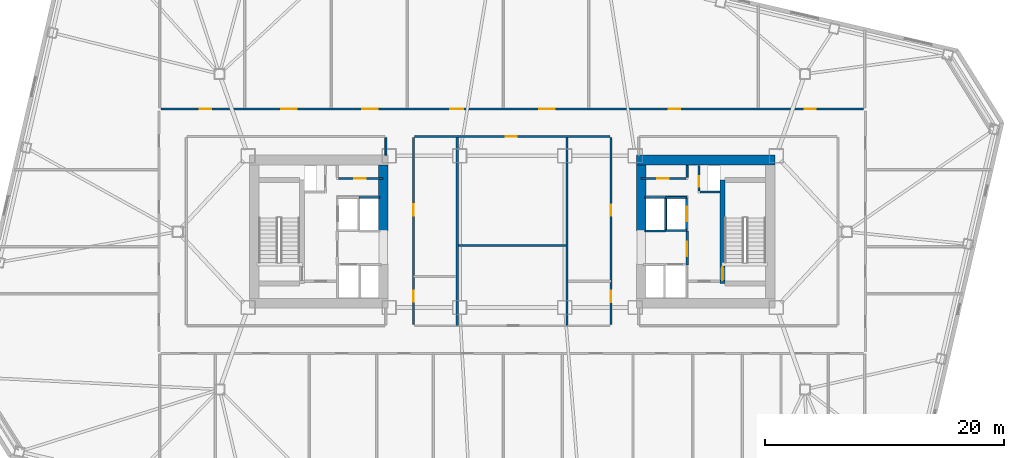
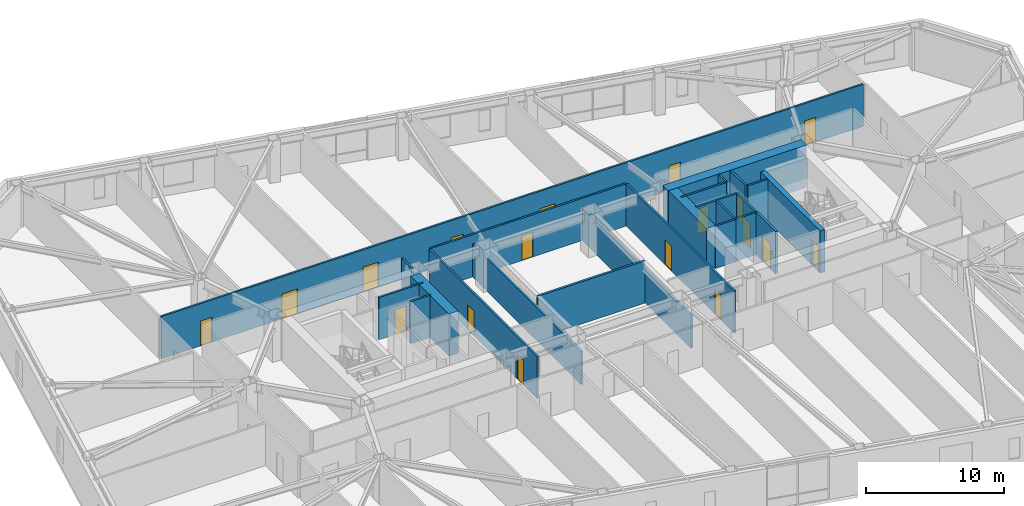
# One storey, part 12 of 19: 25 walls, 18 doors, 18 openings.
"""IFC4 building model written with IfcOpenShell, lengths in metres."""

from ifc_helpers import new_model, si_unit, direction, frame, frame_2d, origin, place, context, subcontext, project, spatial, rectangle, extrude, material, layer, layer_set, type_object, element, fill, save


model = new_model("IFC4")

# Units and contexts
model_context = context("Model", 3, precision=1e-05, world=origin(), true_north=direction((0.0, 1.0)))
body_context = subcontext(model_context, "Body", "Model", "MODEL_VIEW")
ifc_project = project(units=[si_unit("LENGTHUNIT", "METRE"), si_unit("AREAUNIT", "SQUARE_METRE"), si_unit("VOLUMEUNIT", "CUBIC_METRE"), si_unit("PLANEANGLEUNIT", "RADIAN"), si_unit("MASSUNIT", "GRAM", prefix="KILO")], contexts=[model_context])

# Site, building, storey
site_placement = place(None, origin())
site = spatial("IfcSite", under=ifc_project, at=site_placement, CompositionType="ELEMENT")
building_placement = place(site_placement, origin())
building = spatial("IfcBuilding", under=site, at=building_placement, Name="Tavrogorsk Clinical Tower", CompositionType="ELEMENT")
storey_placement = place(building_placement, frame((0.0, 0.0, 75.39990234375)))
storey = spatial("IfcBuildingStorey", under=building, at=storey_placement, Name="L16", CompositionType="ELEMENT", Elevation=75.39990234375)

# Wall, opening, door
ifc_material_1 = material(Name="Concrete B60", Category="concrete")
ifc_layer_1 = layer(ifc_material_1, 0.199951171875)
ifc_layer_set_1 = layer_set([ifc_layer_1], Name="Concrete B60")
wall_type_1 = type_object("IfcWallType", Name="CoreFireWall_200", PredefinedType="SOLIDWALL", material=ifc_layer_set_1)
wall_1_placement = place(storey_placement, frame((14.639892578125, -2.780029296875, 0.0), z_axis=(0.0, 0.0, 1.0), x_axis=(0.0, 1.0, 0.0)))
wall_1 = element("IfcWall", 1, at=wall_1_placement, inside=storey, type_object=wall_type_1, Name="L16 Core East Firefighting Lobby Fire Wall", PredefinedType="SOLIDWALL", context=body_context, shape_type="SweptSolid", body=[
    extrude(rectangle(XDim=2.820068359375, YDim=0.199951171875, at=frame_2d((1.41015625, 0.0))), origin(), (0.0, 0.0, 1.0), 3.739990234375),
])
opening_1_placement = place(wall_1_placement, frame((0.72998046875, 0.0, 0.0)))
opening_1 = element("IfcOpeningElement", 2, at=opening_1_placement, cuts=wall_1, Name="Opening FD-01", PredefinedType="OPENING", context=body_context, shape_type="SweptSolid", body=[
    extrude(rectangle(XDim=1.199951171875, YDim=2.199951171875, at=frame_2d((0.60009765625, 1.10009765625))), frame((0.0, 0.10986328125, 0.0), z_axis=(0.0, -1.0, 0.0), x_axis=(1.0, 0.0, 0.0)), (0.0, 0.0, 1.0), 0.219970703125),
])
ifc_material_2 = material(Name="Galvanised steel fire-rated door assembly", Category="steel")
door_type_1 = type_object("IfcDoorType", Name="FireDoor_FD01_1200", OperationType="NOTDEFINED", PredefinedType="DOOR", material=ifc_material_2)
door_1_placement = place(opening_1_placement, origin())
door_1 = element("IfcDoor", 3, at=door_1_placement, inside=storey, type_object=door_type_1, Name="L16 Core East Firefighting Lobby Entry Door", OperationType="SINGLE_SWING_RIGHT", OverallHeight=2.199951171875, OverallWidth=1.199951171875, PredefinedType="DOOR", context=body_context, shape_type="SweptSolid", body=[
    extrude(rectangle(XDim=1.199951171875, YDim=2.199951171875, at=frame_2d((0.60009765625, 1.10009765625))), frame((0.0, 0.02490234375, 0.0), z_axis=(0.0, -1.0, 0.0), x_axis=(1.0, 0.0, 0.0)), (0.0, 0.0, 1.0), 0.050048828125),
])
fill(opening_1, door_1)

ifc_material_3 = material(Name="Lightweight concrete blockwork B15", Category="masonry")
ifc_layer_2 = layer(ifc_material_3, 0.159912109375)
ifc_layer_set_2 = layer_set([ifc_layer_2], Name="Lightweight concrete blockwork B15")
wall_type_2 = type_object("IfcWallType", Name="PartitionWall_160", PredefinedType="PARTITIONING", material=ifc_layer_set_2)
wall_2_placement = place(storey_placement, frame((-14.554931640625, 4.4599609375, 0.0), z_axis=(0.0, 0.0, 1.0), x_axis=(1.0, 0.0, 0.0)))
wall_2 = element("IfcWall", 4, at=wall_2_placement, inside=storey, type_object=wall_type_2, Name="L16 Core West Pneumatic Dispatch South Wall", PredefinedType="PARTITIONING", context=body_context, shape_type="SweptSolid", body=[
    extrude(rectangle(XDim=3.7548828125, YDim=0.159912109375, at=frame_2d((1.87744140625, 0.0))), origin(), (0.0, 0.0, 1.0), 3.739990234375),
])
opening_2_placement = place(wall_2_placement, frame((1.35009765625, 0.0, 0.0)))
opening_2 = element("IfcOpeningElement", 5, at=opening_2_placement, cuts=wall_2, Name="Opening ID-02", PredefinedType="OPENING", context=body_context, shape_type="SweptSolid", body=[
    extrude(rectangle(XDim=0.949951171875, YDim=2.199951171875, at=frame_2d((0.47509765625, 1.10009765625))), frame((0.0, 0.08984375, 0.0), z_axis=(0.0, -1.0, 0.0), x_axis=(1.0, 0.0, 0.0)), (0.0, 0.0, 1.0), 0.179931640625),
])
ifc_material_4 = material(Name="Laminated timber leaf on aluminium frame", Category="wood")
door_type_2 = type_object("IfcDoorType", Name="InteriorDoor_ID02_950", OperationType="NOTDEFINED", PredefinedType="DOOR", material=ifc_material_4)
door_2_placement = place(opening_2_placement, origin())
door_2 = element("IfcDoor", 6, at=door_2_placement, inside=storey, type_object=door_type_2, Name="L16 Core West Pneumatic Dispatch Door", OperationType="SINGLE_SWING_LEFT", OverallHeight=2.199951171875, OverallWidth=0.949951171875, PredefinedType="DOOR", context=body_context, shape_type="SweptSolid", body=[
    extrude(rectangle(XDim=0.949951171875, YDim=2.199951171875, at=frame_2d((0.47509765625, 1.10009765625))), frame((0.0, 0.02490234375, 0.0), z_axis=(0.0, -1.0, 0.0), x_axis=(1.0, 0.0, 0.0)), (0.0, 0.0, 1.0), 0.050048828125),
])
fill(opening_2, door_2)

wall_3_placement = place(storey_placement, frame((10.800048828125, 4.4599609375, 0.0), z_axis=(0.0, 0.0, 1.0), x_axis=(1.0, 0.0, 0.0)))
wall_3 = element("IfcWall", 7, at=wall_3_placement, inside=storey, type_object=wall_type_2, Name="L16 Core East Pneumatic Dispatch South Wall", PredefinedType="PARTITIONING", context=body_context, shape_type="SweptSolid", body=[
    extrude(rectangle(XDim=3.7548828125, YDim=0.159912109375, at=frame_2d((1.87744140625, 0.0))), origin(), (0.0, 0.0, 1.0), 3.739990234375),
])
opening_3_placement = place(wall_3_placement, frame((1.35009765625, 0.0, 0.0)))
opening_3 = element("IfcOpeningElement", 8, at=opening_3_placement, cuts=wall_3, Name="Opening ID-02", PredefinedType="OPENING", context=body_context, shape_type="SweptSolid", body=[
    extrude(rectangle(XDim=0.949951171875, YDim=2.199951171875, at=frame_2d((0.47509765625, 1.10009765625))), frame((0.0, 0.08984375, 0.0), z_axis=(0.0, -1.0, 0.0), x_axis=(1.0, 0.0, 0.0)), (0.0, 0.0, 1.0), 0.179931640625),
])
door_3_placement = place(opening_3_placement, origin())
door_3 = element("IfcDoor", 9, at=door_3_placement, inside=storey, type_object=door_type_2, Name="L16 Core East Pneumatic Dispatch Door", OperationType="SINGLE_SWING_LEFT", OverallHeight=2.199951171875, OverallWidth=0.949951171875, PredefinedType="DOOR", context=body_context, shape_type="SweptSolid", body=[
    extrude(rectangle(XDim=0.949951171875, YDim=2.199951171875, at=frame_2d((0.47509765625, 1.10009765625))), frame((0.0, 0.02490234375, 0.0), z_axis=(0.0, -1.0, 0.0), x_axis=(1.0, 0.0, 0.0)), (0.0, 0.0, 1.0), 0.050048828125),
])
fill(opening_3, door_3)

# Wall
wall_4_placement = place(storey_placement, frame((14.639892578125, 4.544921875, 0.0), z_axis=(0.0, 0.0, 1.0), x_axis=(0.0, 1.0, 0.0)))
element("IfcWall", 10, at=wall_4_placement, inside=storey, type_object=wall_type_2, Name="L16 Core East Pneumatic Dispatch East Wall", PredefinedType="PARTITIONING", context=body_context, shape_type="SweptSolid", body=[
    extrude(rectangle(XDim=1.01513671875, YDim=0.159912109375, at=frame_2d((0.507568359375, 0.0))), origin(), (0.0, 0.0, 1.0), 3.739990234375),
])

# Wall, openings, doors
wall_5_placement = place(storey_placement, frame((-29.4150390625, 10.280029296875, 0.0), z_axis=(0.0, 0.0, 1.0), x_axis=(1.0, 0.0, 0.0)))
wall_5 = element("IfcWall", 11, at=wall_5_placement, inside=storey, type_object=wall_type_2, Name="L16 Corridor Partition 02", PredefinedType="PARTITIONING", context=body_context, shape_type="SweptSolid", body=[
    extrude(rectangle(XDim=58.830078125, YDim=0.159912109375, at=frame_2d((29.4150390625, 0.0))), origin(), (0.0, 0.0, 1.0), 3.739990234375),
])
opening_4_placement = place(wall_5_placement, frame((3.26904296875, 0.0, 0.0)))
opening_4 = element("IfcOpeningElement", 12, at=opening_4_placement, cuts=wall_5, Name="Opening ID-02", PredefinedType="OPENING", context=body_context, shape_type="SweptSolid", body=[
    extrude(rectangle(XDim=0.949951171875, YDim=2.199951171875, at=frame_2d((0.47509765625, 1.10009765625))), frame((0.0, 0.08984375, 0.0), z_axis=(0.0, -1.0, 0.0), x_axis=(1.0, 0.0, 0.0)), (0.0, 0.0, 1.0), 0.179931640625),
])
opening_5_placement = place(wall_5_placement, frame((10.074951171875, 0.0, 0.0)))
opening_5 = element("IfcOpeningElement", 13, at=opening_5_placement, cuts=wall_5, Name="Opening ID-01", PredefinedType="OPENING", context=body_context, shape_type="SweptSolid", body=[
    extrude(rectangle(XDim=1.300048828125, YDim=2.199951171875, at=frame_2d((0.64990234375, 1.10009765625))), frame((0.0, 0.08984375, 0.0), z_axis=(0.0, -1.0, 0.0), x_axis=(1.0, 0.0, 0.0)), (0.0, 0.0, 1.0), 0.179931640625),
])
opening_6_placement = place(wall_5_placement, frame((16.875, 0.0, 0.0)))
opening_6 = element("IfcOpeningElement", 14, at=opening_6_placement, cuts=wall_5, Name="Opening ID-01", PredefinedType="OPENING", context=body_context, shape_type="SweptSolid", body=[
    extrude(rectangle(XDim=1.300048828125, YDim=2.199951171875, at=frame_2d((0.64990234375, 1.10009765625))), frame((0.0, 0.08984375, 0.0), z_axis=(0.0, -1.0, 0.0), x_axis=(1.0, 0.0, 0.0)), (0.0, 0.0, 1.0), 0.179931640625),
])
opening_7_placement = place(wall_5_placement, frame((24.25, 0.0, 0.0)))
opening_7 = element("IfcOpeningElement", 15, at=opening_7_placement, cuts=wall_5, Name="Opening ID-04", PredefinedType="OPENING", context=body_context, shape_type="SweptSolid", body=[
    extrude(rectangle(XDim=1.050048828125, YDim=2.199951171875, at=frame_2d((0.52490234375, 1.10009765625))), frame((0.0, 0.08984375, 0.0), z_axis=(0.0, -1.0, 0.0), x_axis=(1.0, 0.0, 0.0)), (0.0, 0.0, 1.0), 0.179931640625),
])
opening_8_placement = place(wall_5_placement, frame((31.675048828125, 0.0, 0.0)))
opening_8 = element("IfcOpeningElement", 16, at=opening_8_placement, cuts=wall_5, Name="Opening ID-01", PredefinedType="OPENING", context=body_context, shape_type="SweptSolid", body=[
    extrude(rectangle(XDim=1.300048828125, YDim=2.199951171875, at=frame_2d((0.64990234375, 1.10009765625))), frame((0.0, 0.08984375, 0.0), z_axis=(0.0, -1.0, 0.0), x_axis=(1.0, 0.0, 0.0)), (0.0, 0.0, 1.0), 0.179931640625),
])
opening_9_placement = place(wall_5_placement, frame((42.52490234375, 0.0, 0.0)))
opening_9 = element("IfcOpeningElement", 17, at=opening_9_placement, cuts=wall_5, Name="Opening ID-02", PredefinedType="OPENING", context=body_context, shape_type="SweptSolid", body=[
    extrude(rectangle(XDim=0.949951171875, YDim=2.199951171875, at=frame_2d((0.47509765625, 1.10009765625))), frame((0.0, 0.08984375, 0.0), z_axis=(0.0, -1.0, 0.0), x_axis=(1.0, 0.0, 0.0)), (0.0, 0.0, 1.0), 0.179931640625),
])
opening_10_placement = place(wall_5_placement, frame((53.880859375, 0.0, 0.0)))
opening_10 = element("IfcOpeningElement", 18, at=opening_10_placement, cuts=wall_5, Name="Opening ID-02", PredefinedType="OPENING", context=body_context, shape_type="SweptSolid", body=[
    extrude(rectangle(XDim=0.949951171875, YDim=2.199951171875, at=frame_2d((0.47509765625, 1.10009765625))), frame((0.0, 0.08984375, 0.0), z_axis=(0.0, -1.0, 0.0), x_axis=(1.0, 0.0, 0.0)), (0.0, 0.0, 1.0), 0.179931640625),
])
ifc_material_5 = material(Name="Antibacterial HPL consultation door on aluminium frame", Category="aluminium")
door_type_3 = type_object("IfcDoorType", Name="ConsultDoor_ID04_1050", OperationType="NOTDEFINED", PredefinedType="DOOR", material=ifc_material_5)
door_4_placement = place(opening_7_placement, origin())
door_4 = element("IfcDoor", 19, at=door_4_placement, inside=storey, type_object=door_type_3, Name="L16 North Clinical Examination Suite 03A Door", OperationType="SINGLE_SWING_RIGHT", OverallHeight=2.199951171875, OverallWidth=1.050048828125, PredefinedType="DOOR", context=body_context, shape_type="SweptSolid", body=[
    extrude(rectangle(XDim=1.050048828125, YDim=2.199951171875, at=frame_2d((0.52490234375, 1.10009765625))), frame((0.0, 0.02490234375, 0.0), z_axis=(0.0, -1.0, 0.0), x_axis=(1.0, 0.0, 0.0)), (0.0, 0.0, 1.0), 0.050048828125),
])
fill(opening_7, door_4)
door_5_placement = place(opening_4_placement, origin())
door_5 = element("IfcDoor", 20, at=door_5_placement, inside=storey, type_object=door_type_2, Name="L16 North Multidisciplinary Case Room 01 Door", OperationType="SINGLE_SWING_LEFT", OverallHeight=2.199951171875, OverallWidth=0.949951171875, PredefinedType="DOOR", context=body_context, shape_type="SweptSolid", body=[
    extrude(rectangle(XDim=0.949951171875, YDim=2.199951171875, at=frame_2d((0.47509765625, 1.10009765625))), frame((0.0, 0.02490234375, 0.0), z_axis=(0.0, -1.0, 0.0), x_axis=(1.0, 0.0, 0.0)), (0.0, 0.0, 1.0), 0.050048828125),
])
fill(opening_4, door_5)
door_6_placement = place(opening_9_placement, origin())
door_6 = element("IfcDoor", 21, at=door_6_placement, inside=storey, type_object=door_type_2, Name="L16 North Diagnostic Ultrasound Suite 04 Door", OperationType="SINGLE_SWING_RIGHT", OverallHeight=2.199951171875, OverallWidth=0.949951171875, PredefinedType="DOOR", context=body_context, shape_type="SweptSolid", body=[
    extrude(rectangle(XDim=0.949951171875, YDim=2.199951171875, at=frame_2d((0.47509765625, 1.10009765625))), frame((0.0, 0.02490234375, 0.0), z_axis=(0.0, -1.0, 0.0), x_axis=(1.0, 0.0, 0.0)), (0.0, 0.0, 1.0), 0.050048828125),
])
fill(opening_9, door_6)
door_7_placement = place(opening_10_placement, origin())
door_7 = element("IfcDoor", 22, at=door_7_placement, inside=storey, type_object=door_type_2, Name="L16 North Physiotherapy Rehab Studio 05 Door", OperationType="SINGLE_SWING_LEFT", OverallHeight=2.199951171875, OverallWidth=0.949951171875, PredefinedType="DOOR", context=body_context, shape_type="SweptSolid", body=[
    extrude(rectangle(XDim=0.949951171875, YDim=2.199951171875, at=frame_2d((0.47509765625, 1.10009765625))), frame((0.0, 0.02490234375, 0.0), z_axis=(0.0, -1.0, 0.0), x_axis=(1.0, 0.0, 0.0)), (0.0, 0.0, 1.0), 0.050048828125),
])
fill(opening_10, door_7)
ifc_material_6 = material(Name="Antibacterial HPL medical leaf on aluminium frame", Category="aluminium")
door_type_4 = type_object("IfcDoorType", Name="WardBedDoor_ID01_1300", OperationType="NOTDEFINED", PredefinedType="DOOR", material=ifc_material_6)
door_8_placement = place(opening_5_placement, origin())
door_8 = element("IfcDoor", 23, at=door_8_placement, inside=storey, type_object=door_type_4, Name="L16 North Inpatient Clinical Ward 02A Door", OperationType="SINGLE_SWING_RIGHT", OverallHeight=2.199951171875, OverallWidth=1.300048828125, PredefinedType="DOOR", context=body_context, shape_type="SweptSolid", body=[
    extrude(rectangle(XDim=1.300048828125, YDim=2.199951171875, at=frame_2d((0.64990234375, 1.10009765625))), frame((0.0, 0.02490234375, 0.0), z_axis=(0.0, -1.0, 0.0), x_axis=(1.0, 0.0, 0.0)), (0.0, 0.0, 1.0), 0.050048828125),
])
fill(opening_5, door_8)
door_9_placement = place(opening_6_placement, origin())
door_9 = element("IfcDoor", 24, at=door_9_placement, inside=storey, type_object=door_type_4, Name="L16 North Acute Isolation Suite 02B Door", OperationType="SINGLE_SWING_LEFT", OverallHeight=2.199951171875, OverallWidth=1.300048828125, PredefinedType="DOOR", context=body_context, shape_type="SweptSolid", body=[
    extrude(rectangle(XDim=1.300048828125, YDim=2.199951171875, at=frame_2d((0.64990234375, 1.10009765625))), frame((0.0, 0.02490234375, 0.0), z_axis=(0.0, -1.0, 0.0), x_axis=(1.0, 0.0, 0.0)), (0.0, 0.0, 1.0), 0.050048828125),
])
fill(opening_6, door_9)
door_10_placement = place(opening_8_placement, origin())
door_10 = element("IfcDoor", 25, at=door_10_placement, inside=storey, type_object=door_type_4, Name="L16 North Sub-Acute Recovery Ward 03B Door", OperationType="SINGLE_SWING_LEFT", OverallHeight=2.199951171875, OverallWidth=1.300048828125, PredefinedType="DOOR", context=body_context, shape_type="SweptSolid", body=[
    extrude(rectangle(XDim=1.300048828125, YDim=2.199951171875, at=frame_2d((0.64990234375, 1.10009765625))), frame((0.0, 0.02490234375, 0.0), z_axis=(0.0, -1.0, 0.0), x_axis=(1.0, 0.0, 0.0)), (0.0, 0.0, 1.0), 0.050048828125),
])
fill(opening_8, door_10)

wall_6_placement = place(storey_placement, frame((8.27001953125, -7.784912109375, 0.0), z_axis=(0.0, 0.0, 1.0), x_axis=(0.0, 1.0, 0.0)))
wall_6 = element("IfcWall", 26, at=wall_6_placement, inside=storey, type_object=wall_type_2, Name="L16 Corridor Partition 10", PredefinedType="PARTITIONING", context=body_context, shape_type="SweptSolid", body=[
    extrude(rectangle(XDim=15.669921875, YDim=0.159912109375, at=frame_2d((7.8349609375, 0.0))), origin(), (0.0, 0.0, 1.0), 3.739990234375),
])
opening_11_placement = place(wall_6_placement, frame((1.879150390625, 0.0, 0.0)))
opening_11 = element("IfcOpeningElement", 27, at=opening_11_placement, cuts=wall_6, Name="Opening ID-02", PredefinedType="OPENING", context=body_context, shape_type="SweptSolid", body=[
    extrude(rectangle(XDim=0.949951171875, YDim=2.199951171875, at=frame_2d((0.47509765625, 1.10009765625))), frame((0.0, 0.08984375, 0.0), z_axis=(0.0, -1.0, 0.0), x_axis=(1.0, 0.0, 0.0)), (0.0, 0.0, 1.0), 0.179931640625),
])
opening_12_placement = place(wall_6_placement, frame((9.11083984375, 0.0, 0.0)))
opening_12 = element("IfcOpeningElement", 28, at=opening_12_placement, cuts=wall_6, Name="Opening ID-02", PredefinedType="OPENING", context=body_context, shape_type="SweptSolid", body=[
    extrude(rectangle(XDim=0.949951171875, YDim=2.199951171875, at=frame_2d((0.47509765625, 1.10009765625))), frame((0.0, 0.08984375, 0.0), z_axis=(0.0, -1.0, 0.0), x_axis=(1.0, 0.0, 0.0)), (0.0, 0.0, 1.0), 0.179931640625),
])
door_11_placement = place(opening_11_placement, origin())
door_11 = element("IfcDoor", 29, at=door_11_placement, inside=storey, type_object=door_type_2, Name="L16 Staff & Visitor Accessible WC Door", OperationType="SINGLE_SWING_RIGHT", OverallHeight=2.199951171875, OverallWidth=0.949951171875, PredefinedType="DOOR", context=body_context, shape_type="SweptSolid", body=[
    extrude(rectangle(XDim=0.949951171875, YDim=2.199951171875, at=frame_2d((0.47509765625, 1.10009765625))), frame((0.0, 0.02490234375, 0.0), z_axis=(0.0, -1.0, 0.0), x_axis=(1.0, 0.0, 0.0)), (0.0, 0.0, 1.0), 0.050048828125),
])
fill(opening_11, door_11)
door_12_placement = place(opening_12_placement, origin())
door_12 = element("IfcDoor", 30, at=door_12_placement, inside=storey, type_object=door_type_2, Name="L16 Attending Physician Office Door", OperationType="SINGLE_SWING_LEFT", OverallHeight=2.199951171875, OverallWidth=0.949951171875, PredefinedType="DOOR", context=body_context, shape_type="SweptSolid", body=[
    extrude(rectangle(XDim=0.949951171875, YDim=2.199951171875, at=frame_2d((0.47509765625, 1.10009765625))), frame((0.0, 0.02490234375, 0.0), z_axis=(0.0, -1.0, 0.0), x_axis=(1.0, 0.0, 0.0)), (0.0, 0.0, 1.0), 0.050048828125),
])
fill(opening_12, door_12)

# Wall, opening, door
wall_7_placement = place(storey_placement, frame((8.18505859375, 7.969970703125, 0.0), z_axis=(0.0, 0.0, 1.0), x_axis=(-1.0, 0.0, 0.0)))
wall_7 = element("IfcWall", 31, at=wall_7_placement, inside=storey, type_object=wall_type_2, Name="L16 Corridor Partition 11", PredefinedType="PARTITIONING", context=body_context, shape_type="SweptSolid", body=[
    extrude(rectangle(XDim=16.3701171875, YDim=0.159912109375, at=frame_2d((8.18505859375, 0.0))), origin(), (0.0, 0.0, 1.0), 3.739990234375),
])
opening_13_placement = place(wall_7_placement, frame((7.794921875, 0.0, 0.0)))
opening_13 = element("IfcOpeningElement", 32, at=opening_13_placement, cuts=wall_7, Name="Opening ID-02", PredefinedType="OPENING", context=body_context, shape_type="SweptSolid", body=[
    extrude(rectangle(XDim=0.949951171875, YDim=2.199951171875, at=frame_2d((0.47509765625, 1.10009765625))), frame((0.0, 0.08984375, 0.0), z_axis=(0.0, -1.0, 0.0), x_axis=(1.0, 0.0, 0.0)), (0.0, 0.0, 1.0), 0.179931640625),
])
door_13_placement = place(opening_13_placement, origin())
door_13 = element("IfcDoor", 33, at=door_13_placement, inside=storey, type_object=door_type_2, Name="L16 Nurses' Station & Triage Hub Door", OperationType="SINGLE_SWING_LEFT", OverallHeight=2.199951171875, OverallWidth=0.949951171875, PredefinedType="DOOR", context=body_context, shape_type="SweptSolid", body=[
    extrude(rectangle(XDim=0.949951171875, YDim=2.199951171875, at=frame_2d((0.47509765625, 1.10009765625))), frame((0.0, 0.02490234375, 0.0), z_axis=(0.0, -1.0, 0.0), x_axis=(1.0, 0.0, 0.0)), (0.0, 0.0, 1.0), 0.050048828125),
])
fill(opening_13, door_13)

# Wall, openings, doors
wall_8_placement = place(storey_placement, frame((-8.27001953125, 7.885009765625, 0.0), z_axis=(0.0, 0.0, 1.0), x_axis=(0.0, -1.0, 0.0)))
wall_8 = element("IfcWall", 34, at=wall_8_placement, inside=storey, type_object=wall_type_2, Name="L16 Corridor Partition 12", PredefinedType="PARTITIONING", context=body_context, shape_type="SweptSolid", body=[
    extrude(rectangle(XDim=15.669921875, YDim=0.159912109375, at=frame_2d((7.8349609375, 0.0))), origin(), (0.0, 0.0, 1.0), 3.739990234375),
])
opening_14_placement = place(wall_8_placement, frame((12.810791015625, 0.0, 0.0)))
opening_14 = element("IfcOpeningElement", 35, at=opening_14_placement, cuts=wall_8, Name="Opening ID-02", PredefinedType="OPENING", context=body_context, shape_type="SweptSolid", body=[
    extrude(rectangle(XDim=0.949951171875, YDim=2.199951171875, at=frame_2d((0.47509765625, 1.10009765625))), frame((0.0, 0.08984375, 0.0), z_axis=(0.0, -1.0, 0.0), x_axis=(1.0, 0.0, 0.0)), (0.0, 0.0, 1.0), 0.179931640625),
])
opening_15_placement = place(wall_8_placement, frame((5.5791015625, 0.0, 0.0)))
opening_15 = element("IfcOpeningElement", 36, at=opening_15_placement, cuts=wall_8, Name="Opening ID-02", PredefinedType="OPENING", context=body_context, shape_type="SweptSolid", body=[
    extrude(rectangle(XDim=0.949951171875, YDim=2.199951171875, at=frame_2d((0.47509765625, 1.10009765625))), frame((0.0, 0.08984375, 0.0), z_axis=(0.0, -1.0, 0.0), x_axis=(1.0, 0.0, 0.0)), (0.0, 0.0, 1.0), 0.179931640625),
])
door_14_placement = place(opening_14_placement, origin())
door_14 = element("IfcDoor", 37, at=door_14_placement, inside=storey, type_object=door_type_2, Name="L16 Accessible Patient Lavatory Door", OperationType="SINGLE_SWING_RIGHT", OverallHeight=2.199951171875, OverallWidth=0.949951171875, PredefinedType="DOOR", context=body_context, shape_type="SweptSolid", body=[
    extrude(rectangle(XDim=0.949951171875, YDim=2.199951171875, at=frame_2d((0.47509765625, 1.10009765625))), frame((0.0, 0.02490234375, 0.0), z_axis=(0.0, -1.0, 0.0), x_axis=(1.0, 0.0, 0.0)), (0.0, 0.0, 1.0), 0.050048828125),
])
fill(opening_14, door_14)
door_15_placement = place(opening_15_placement, origin())
door_15 = element("IfcDoor", 38, at=door_15_placement, inside=storey, type_object=door_type_2, Name="L16 Ward Nourishment Pantry Door", OperationType="SINGLE_SWING_LEFT", OverallHeight=2.199951171875, OverallWidth=0.949951171875, PredefinedType="DOOR", context=body_context, shape_type="SweptSolid", body=[
    extrude(rectangle(XDim=0.949951171875, YDim=2.199951171875, at=frame_2d((0.47509765625, 1.10009765625))), frame((0.0, 0.02490234375, 0.0), z_axis=(0.0, -1.0, 0.0), x_axis=(1.0, 0.0, 0.0)), (0.0, 0.0, 1.0), 0.050048828125),
])
fill(opening_15, door_15)

# Walls
wall_9_placement = place(storey_placement, frame((-10.580078125, 6.419921875, 0.0), z_axis=(0.0, 0.0, 1.0), x_axis=(0.0, 1.0, 0.0)))
element("IfcWall", 39, at=wall_9_placement, inside=storey, type_object=wall_type_2, Name="L16 Corridor Partition 15", PredefinedType="PARTITIONING", context=body_context, shape_type="SweptSolid", body=[
    extrude(rectangle(XDim=1.465087890625, YDim=0.159912109375, at=frame_2d((0.732421875, 0.0))), origin(), (0.0, 0.0, 1.0), 3.739990234375),
])
ifc_material_7 = material(Name="Lightweight concrete blockwork B20", Category="masonry")
ifc_layer_3 = layer(ifc_material_7, 0.179931640625)
ifc_layer_set_3 = layer_set([ifc_layer_3], Name="Lightweight concrete blockwork B20")
wall_type_3 = type_object("IfcWallType", Name="PartitionWall_180", PredefinedType="PARTITIONING", material=ifc_layer_set_3)
for number, where, z_axis, x_axis, name in (
    (40, (-4.60009765625, -7.864990234375, 0.0), (0.0, 0.0, 1.0), (0.0, 1.0, 0.0), "L16 Central Spine Partition 1"),
    (41, (4.60009765625, -7.864990234375, 0.0), (0.0, 0.0, 1.0), (0.0, 1.0, 0.0), "L16 Central Spine Partition 2"),
):
    element("IfcWall", number, at=place(storey_placement, frame(where, z_axis=z_axis, x_axis=x_axis)), inside=storey, type_object=wall_type_3, Name=name, PredefinedType="PARTITIONING", context=body_context, shape_type="SweptSolid", body=[
        extrude(rectangle(XDim=15.830078125, YDim=0.179931640625, at=frame_2d((7.9150390625, 0.0))), origin(), (0.0, 0.0, 1.0), 2.93505859375),
    ])
wall_10_placement = place(storey_placement, frame((-4.5048828125, -1.14990234375, 0.0), z_axis=(0.0, 0.0, 1.0), x_axis=(1.0, 0.0, 0.0)))
element("IfcWall", 42, at=wall_10_placement, inside=storey, type_object=wall_type_3, Name="L16 Central Spine Partition 3", PredefinedType="PARTITIONING", context=body_context, shape_type="SweptSolid", body=[
    extrude(rectangle(XDim=9.009765625, YDim=0.179931640625, at=frame_2d((4.5048828125, 0.0))), origin(), (0.0, 0.0, 1.0), 3.739990234375),
])
ifc_material_8 = material(Name="Lightweight concrete blockwork B25", Category="masonry")
ifc_layer_4 = layer(ifc_material_8, 0.159912109375)
ifc_layer_set_4 = layer_set([ifc_layer_4], Name="Lightweight concrete blockwork B25")
wall_type_4 = type_object("IfcWallType", Name="ShaftWall_160", PredefinedType="PARTITIONING", material=ifc_layer_set_4)
wall_11_placement = place(storey_placement, frame((-12.820068359375, 2.860107421875, 0.0), z_axis=(0.0, 0.0, 1.0), x_axis=(1.0, 0.0, 0.0)))
element("IfcWall", 43, at=wall_11_placement, inside=storey, type_object=wall_type_4, Name="L16 LP-H1 High-Zone Lift Rear Wall", PredefinedType="PARTITIONING", context=body_context, shape_type="SweptSolid", body=[
    extrude(rectangle(XDim=1.719970703125, YDim=0.159912109375, at=frame_2d((0.85986328125, 0.0))), origin(), (0.0, 0.0, 1.0), 3.739990234375),
])

# Wall, opening, door
wall_12_placement = place(storey_placement, frame((14.60009765625, 0.1201171875, 0.0), z_axis=(0.0, 0.0, 1.0), x_axis=(0.0, 1.0, 0.0)))
wall_12 = element("IfcWall", 44, at=wall_12_placement, inside=storey, type_object=wall_type_4, Name="L16 FFL-E Firefighting Lift Front Wall", PredefinedType="PARTITIONING", context=body_context, shape_type="SweptSolid", body=[
    extrude(rectangle(XDim=2.739990234375, YDim=0.159912109375, at=frame_2d((1.3701171875, 0.0))), origin(), (0.0, 0.0, 1.0), 3.739990234375),
])
opening_16_placement = place(wall_12_placement, frame((0.77001953125, 0.0, 0.0)))
opening_16 = element("IfcOpeningElement", 45, at=opening_16_placement, cuts=wall_12, Name="Opening LD", PredefinedType="OPENING", context=body_context, shape_type="SweptSolid", body=[
    extrude(rectangle(XDim=1.199951171875, YDim=2.199951171875, at=frame_2d((0.60009765625, 1.10009765625))), frame((0.0, 0.08984375, 0.0), z_axis=(0.0, -1.0, 0.0), x_axis=(1.0, 0.0, 0.0)), (0.0, 0.0, 1.0), 0.179931640625),
])
ifc_material_9 = material(Name="Brushed stainless steel AISI 304 sliding doors", Category="steel")
door_type_5 = type_object("IfcDoorType", Name="LiftLandingDoor_LD_1200", OperationType="SLIDING_TO_LEFT", PredefinedType="DOOR", material=ifc_material_9)
door_16_placement = place(opening_16_placement, origin())
door_16 = element("IfcDoor", 46, at=door_16_placement, inside=storey, type_object=door_type_5, Name="L16 FFL-E Sliding Lift Landing Door", OperationType="SLIDING_TO_LEFT", OverallHeight=2.199951171875, OverallWidth=1.199951171875, PredefinedType="DOOR", context=body_context, shape_type="SweptSolid", body=[
    extrude(rectangle(XDim=1.199951171875, YDim=2.199951171875, at=frame_2d((0.60009765625, 1.10009765625))), frame((0.0, 0.02490234375, 0.0), z_axis=(0.0, -1.0, 0.0), x_axis=(1.0, 0.0, 0.0)), (0.0, 0.0, 1.0), 0.050048828125),
])
fill(opening_16, door_16)

# Walls
for number, where, z_axis, x_axis, name in (
    (47, (12.840087890625, 0.10009765625, 0.0), (0.0, 0.0, 1.0), (1.0, 0.0, 0.0), "L16 FFL-E Shaft South Wall"),
    (48, (12.840087890625, 2.8798828125, 0.0), (0.0, 0.0, 1.0), (1.0, 0.0, 0.0), "L16 FFL-E Shaft North Wall"),
):
    element("IfcWall", number, at=place(storey_placement, frame(where, z_axis=z_axis, x_axis=x_axis)), inside=storey, type_object=wall_type_4, Name=name, PredefinedType="PARTITIONING", context=body_context, shape_type="SweptSolid", body=[
        extrude(rectangle(XDim=1.760009765625, YDim=0.159912109375, at=frame_2d((0.8798828125, 0.0))), origin(), (0.0, 0.0, 1.0), 3.739990234375),
    ])
wall_13_placement = place(storey_placement, frame((12.840087890625, 0.179931640625, 0.0), z_axis=(0.0, 0.0, 1.0), x_axis=(0.0, 1.0, 0.0)))
element("IfcWall", 49, at=wall_13_placement, inside=storey, type_object=wall_type_4, Name="L16 FFL-E Shaft Back Wall", PredefinedType="PARTITIONING", context=body_context, shape_type="SweptSolid", body=[
    extrude(rectangle(XDim=2.6201171875, YDim=0.159912109375, at=frame_2d((1.31005859375, 0.0))), origin(), (0.0, 0.0, 1.0), 3.739990234375),
])
for number, where, z_axis, x_axis, name in (
    (50, (11.10009765625, 0.06005859375, 0.0), (0.0, 0.0, 1.0), (1.0, 0.0, 0.0), "L16 LP-H2 High-Zone Lift Portal Wall"),
    (51, (11.10009765625, 2.860107421875, 0.0), (0.0, 0.0, 1.0), (1.0, 0.0, 0.0), "L16 LP-H2 High-Zone Lift Rear Wall"),
):
    element("IfcWall", number, at=place(storey_placement, frame(where, z_axis=z_axis, x_axis=x_axis)), inside=storey, type_object=wall_type_4, Name=name, PredefinedType="PARTITIONING", context=body_context, shape_type="SweptSolid", body=[
        extrude(rectangle(XDim=1.719970703125, YDim=0.159912109375, at=frame_2d((0.85986328125, 0.0))), origin(), (0.0, 0.0, 1.0), 3.739990234375),
    ])

# Wall, opening, door
wall_14_placement = place(storey_placement, frame((15.639892578125, 3.405029296875, 0.0), z_axis=(0.0, 0.0, 1.0), x_axis=(0.0, 1.0, 0.0)))
wall_14 = element("IfcWall", 52, at=wall_14_placement, inside=storey, type_object=wall_type_4, Name="L16 Core East Riser West Wall", PredefinedType="PARTITIONING", context=body_context, shape_type="SweptSolid", body=[
    extrude(rectangle(XDim=2.155029296875, YDim=0.159912109375, at=frame_2d((1.07763671875, 0.0))), origin(), (0.0, 0.0, 1.0), 3.739990234375),
])
opening_17_placement = place(wall_14_placement, frame((0.35009765625, 0.0, 0.0)))
opening_17 = element("IfcOpeningElement", 53, at=opening_17_placement, cuts=wall_14, Name="Opening FD-02", PredefinedType="OPENING", context=body_context, shape_type="SweptSolid", body=[
    extrude(rectangle(XDim=0.89990234375, YDim=2.199951171875, at=frame_2d((0.449951171875, 1.10009765625))), frame((0.0, 0.08984375, 0.0), z_axis=(0.0, -1.0, 0.0), x_axis=(1.0, 0.0, 0.0)), (0.0, 0.0, 1.0), 0.179931640625),
])
ifc_material_10 = material(Name="Galvanised steel fire-rated door assembly", Category="steel")
door_type_6 = type_object("IfcDoorType", Name="FireDoor_FD02_900", OperationType="NOTDEFINED", PredefinedType="DOOR", material=ifc_material_10)
door_17_placement = place(opening_17_placement, origin())
door_17 = element("IfcDoor", 54, at=door_17_placement, inside=storey, type_object=door_type_6, Name="L16 Core East Electrical Riser Access Door", OperationType="SINGLE_SWING_LEFT", OverallHeight=2.199951171875, OverallWidth=0.89990234375, PredefinedType="DOOR", context=body_context, shape_type="SweptSolid", body=[
    extrude(rectangle(XDim=0.89990234375, YDim=2.199951171875, at=frame_2d((0.449951171875, 1.10009765625))), frame((0.0, 0.02490234375, 0.0), z_axis=(0.0, -1.0, 0.0), x_axis=(1.0, 0.0, 0.0)), (0.0, 0.0, 1.0), 0.050048828125),
])
fill(opening_17, door_17)

# Wall
wall_15_placement = place(storey_placement, frame((15.72509765625, 3.320068359375, 0.0), z_axis=(0.0, 0.0, 1.0), x_axis=(1.0, 0.0, 0.0)))
element("IfcWall", 55, at=wall_15_placement, inside=storey, type_object=wall_type_4, Name="L16 Core East Riser South Wall", PredefinedType="PARTITIONING", context=body_context, shape_type="SweptSolid", body=[
    extrude(rectangle(XDim=1.65478515625, YDim=0.159912109375, at=frame_2d((0.827392578125, 0.0))), origin(), (0.0, 0.0, 1.0), 3.739990234375),
])

# Wall, opening, door
ifc_material_11 = material(Name="Concrete B80", Category="concrete")
ifc_layer_5 = layer(ifc_material_11, 0.39990234375)
ifc_layer_set_5 = layer_set([ifc_layer_5], Name="Concrete B80")
wall_type_5 = type_object("IfcWallType", Name="ShearWall_400", PredefinedType="SHEAR", material=ifc_layer_set_5)
wall_16_placement = place(storey_placement, frame((17.60009765625, -4.324951171875, 0.0), z_axis=(0.0, 0.0, 1.0), x_axis=(0.0, 1.0, 0.0)))
wall_16 = element("IfcWall", 56, at=wall_16_placement, inside=storey, type_object=wall_type_5, Name="L16 Core East Stair Shaft Inner Shear Wall", PredefinedType="SHEAR", context=body_context, shape_type="SweptSolid", body=[
    extrude(rectangle(XDim=8.64990234375, YDim=0.39990234375, at=frame_2d((4.324951171875, 0.0))), origin(), (0.0, 0.0, 1.0), 3.739990234375),
])
opening_18_placement = place(wall_16_placement, frame((0.25, 0.0, 0.0)))
opening_18 = element("IfcOpeningElement", 57, at=opening_18_placement, cuts=wall_16, Name="Opening SD-01", PredefinedType="OPENING", context=body_context, shape_type="SweptSolid", body=[
    extrude(rectangle(XDim=1.10009765625, YDim=2.199951171875, at=frame_2d((0.550048828125, 1.10009765625))), frame((0.0, 0.2099609375, 0.0), z_axis=(0.0, -1.0, 0.0), x_axis=(1.0, 0.0, 0.0)), (0.0, 0.0, 1.0), 0.419921875),
])
ifc_material_12 = material(Name="Galvanised steel smoke-tight fire door assembly", Category="steel")
door_type_7 = type_object("IfcDoorType", Name="StairFireDoor_SD01_1100", OperationType="NOTDEFINED", PredefinedType="DOOR", material=ifc_material_12)
door_18_placement = place(opening_18_placement, origin())
door_18 = element("IfcDoor", 58, at=door_18_placement, inside=storey, type_object=door_type_7, Name="L16 ST-E Exit Stair Door", OperationType="SINGLE_SWING_RIGHT", OverallHeight=2.199951171875, OverallWidth=1.10009765625, PredefinedType="DOOR", context=body_context, shape_type="SweptSolid", body=[
    extrude(rectangle(XDim=1.10009765625, YDim=2.199951171875, at=frame_2d((0.550048828125, 1.10009765625))), frame((0.0, 0.02490234375, 0.0), z_axis=(0.0, -1.0, 0.0), x_axis=(1.0, 0.0, 0.0)), (0.0, 0.0, 1.0), 0.050048828125),
])
fill(opening_18, door_18)

# Walls
ifc_material_13 = material(Name="Concrete B80", Category="concrete")
ifc_layer_6 = layer(ifc_material_13, 0.800048828125)
ifc_layer_set_6 = layer_set([ifc_layer_6], Name="Concrete B80")
wall_type_6 = type_object("IfcWallType", Name="ShearWall_800", PredefinedType="SHEAR", material=ifc_layer_set_6)
wall_17_placement = place(storey_placement, frame((-10.800048828125, 0.050048828125, 0.0), z_axis=(0.0, 0.0, 1.0), x_axis=(0.0, 1.0, 0.0)))
element("IfcWall", 59, at=wall_17_placement, inside=storey, type_object=wall_type_6, Name="L16 Core West Inner North Pier", PredefinedType="SHEAR", context=body_context, shape_type="SweptSolid", body=[
    extrude(rectangle(XDim=5.550048828125, YDim=0.800048828125, at=frame_2d((2.77490234375, 0.0))), origin(), (0.0, 0.0, 1.0), 3.739990234375),
])
wall_18_placement = place(storey_placement, frame((10.39990234375, 6.0, 0.0), z_axis=(0.0, 0.0, 1.0), x_axis=(1.0, 0.0, 0.0)))
element("IfcWall", 60, at=wall_18_placement, inside=storey, type_object=wall_type_6, Name="L16 Core East North Shear Wall", PredefinedType="SHEAR", context=body_context, shape_type="SweptSolid", body=[
    extrude(rectangle(XDim=11.60009765625, YDim=0.800048828125, at=frame_2d((5.800048828125, 0.0))), origin(), (0.0, 0.0, 1.0), 3.739990234375),
])
wall_19_placement = place(storey_placement, frame((10.800048828125, 0.050048828125, 0.0), z_axis=(0.0, 0.0, 1.0), x_axis=(0.0, 1.0, 0.0)))
element("IfcWall", 61, at=wall_19_placement, inside=storey, type_object=wall_type_6, Name="L16 Core East Inner North Pier", PredefinedType="SHEAR", context=body_context, shape_type="SweptSolid", body=[
    extrude(rectangle(XDim=5.550048828125, YDim=0.800048828125, at=frame_2d((2.77490234375, 0.0))), origin(), (0.0, 0.0, 1.0), 3.739990234375),
])

save(model, "model.ifc")
